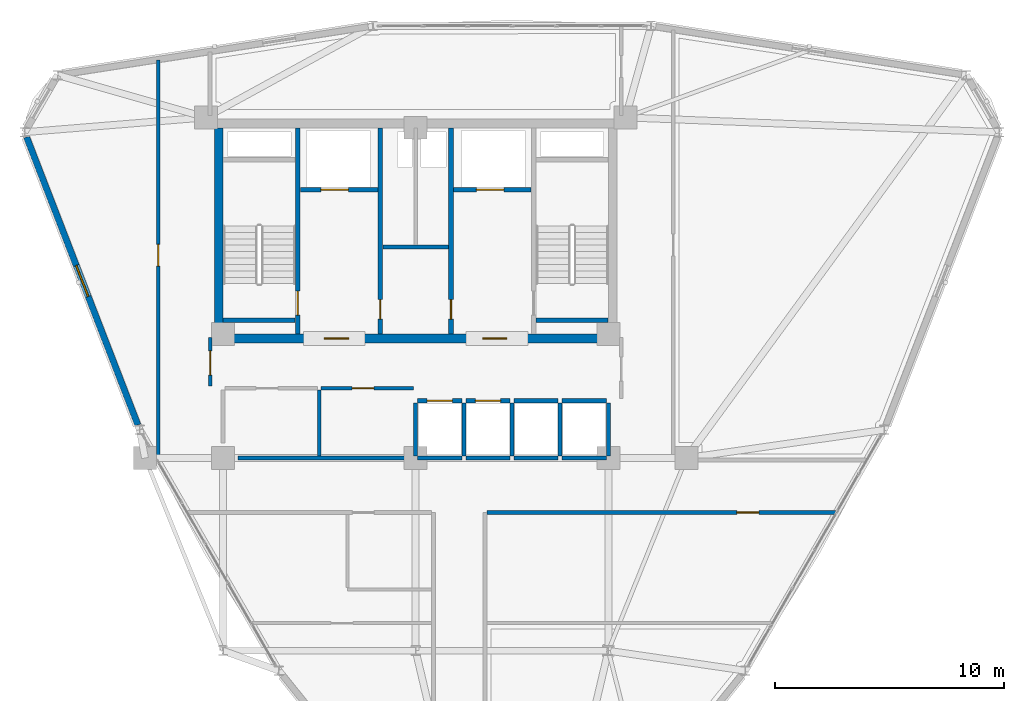
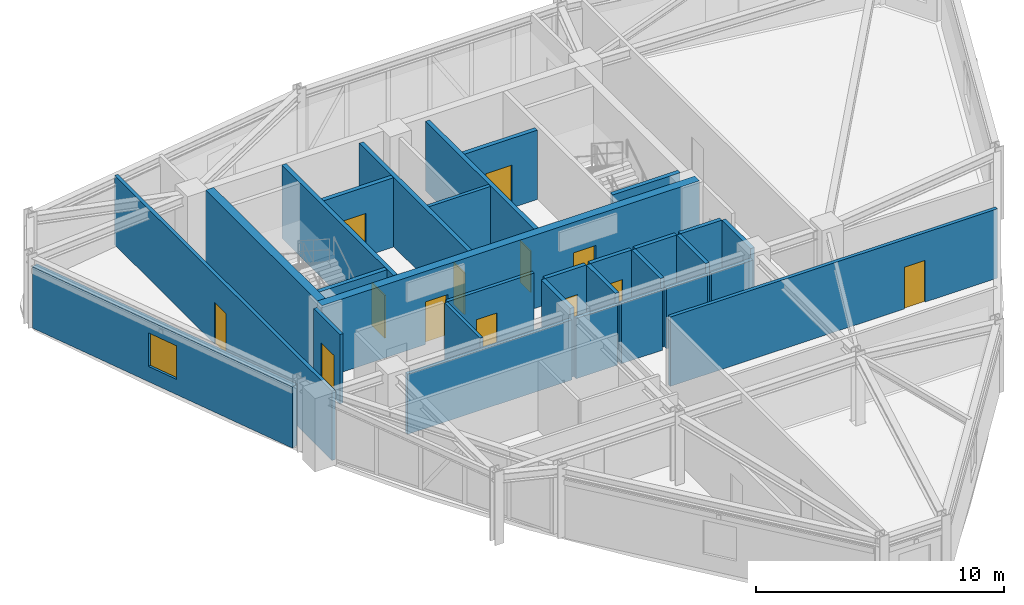
# One storey, part 13 of 16: 30 walls, 13 doors, 1 window, 14 openings.
"""IFC4 building model written with IfcOpenShell, lengths in metres."""

from ifc_helpers import new_model, si_unit, derived_unit, direction, frame, frame_2d, origin, place, context, subcontext, project, spatial, rectangle, extrude, material, layer, layer_set, type_object, element, fill, save


model = new_model("IFC4")

# Units and contexts
model_context = context("Model", 3, precision=1e-05, world=origin(), true_north=direction((0.0, 1.0)))
body_context = subcontext(model_context, "Body", "Model", "MODEL_VIEW")
ifc_project = project(units=[si_unit("LENGTHUNIT", "METRE"), si_unit("AREAUNIT", "SQUARE_METRE"), si_unit("VOLUMEUNIT", "CUBIC_METRE"), si_unit("PLANEANGLEUNIT", "RADIAN"), si_unit("MASSUNIT", "GRAM", prefix="KILO"), derived_unit("THERMALTRANSMITTANCEUNIT", [(si_unit("POWERUNIT", "WATT"), 1), (si_unit("LENGTHUNIT", "METRE"), -2), (si_unit("THERMODYNAMICTEMPERATUREUNIT", "KELVIN"), -1)])], contexts=[model_context])

# Site, building, storey
site_placement = place(None, origin())
site = spatial("IfcSite", under=ifc_project, at=site_placement, CompositionType="ELEMENT")
building_placement = place(site_placement, origin())
building = spatial("IfcBuilding", under=site, at=building_placement, Name="Korsvarv Bourse and Concert Hall", CompositionType="ELEMENT")
storey_placement = place(building_placement, frame((0.0, 0.0, 227.39990234375)))
storey = spatial("IfcBuildingStorey", under=building, at=storey_placement, Name="L59", CompositionType="ELEMENT", Elevation=227.39990234375)

# Wall, openings, doors
ifc_material_1 = material(Name="Concrete C50/60", Category="concrete")
ifc_layer_1 = layer(ifc_material_1, 0.3798828125)
ifc_layer_set_1 = layer_set([ifc_layer_1], Name="Concrete C50/60")
wall_type_1 = type_object("IfcWallType", Name="WL-CORE-380", PredefinedType="SHEAR", material=ifc_layer_set_1)
wall_1_placement = place(storey_placement, frame((27.219970703125, 37.610107421875, 0.0), z_axis=(0.0, 0.0, 1.0), x_axis=(1.0, 0.0, 0.0)))
wall_1 = element("IfcWall", 1, at=wall_1_placement, inside=storey, type_object=wall_type_1, Name="L59 South Core Shear Wall", PredefinedType="SHEAR", context=body_context, shape_type="SweptSolid", body=[
    extrude(rectangle(XDim=17.56005859375, YDim=0.3798828125, at=frame_2d((8.780029296875, 0.0))), origin(), (0.0, 0.0, 1.0), 3.60009765625),
])
opening_1_placement = place(wall_1_placement, frame((4.804931640625, 0.0, 0.0)))
opening_1 = element("IfcOpeningElement", 2, at=opening_1_placement, cuts=wall_1, Name="Opening D-01", PredefinedType="OPENING", context=body_context, shape_type="SweptSolid", body=[
    extrude(rectangle(XDim=1.050048828125, YDim=2.10009765625, at=frame_2d((0.52490234375, 1.050048828125))), frame((0.0, 0.199951171875, 0.0), z_axis=(0.0, -1.0, 0.0), x_axis=(1.0, 0.0, 0.0)), (0.0, 0.0, 1.0), 0.39990234375),
])
opening_2_placement = place(wall_1_placement, frame((11.705078125, 0.0, 0.0)))
opening_2 = element("IfcOpeningElement", 3, at=opening_2_placement, cuts=wall_1, Name="Opening D-01", PredefinedType="OPENING", context=body_context, shape_type="SweptSolid", body=[
    extrude(rectangle(XDim=1.050048828125, YDim=2.10009765625, at=frame_2d((0.52490234375, 1.050048828125))), frame((0.0, 0.199951171875, 0.0), z_axis=(0.0, -1.0, 0.0), x_axis=(1.0, 0.0, 0.0)), (0.0, 0.0, 1.0), 0.39990234375),
])
ifc_material_2 = material(Name="Steel S355 fire door", Category="steel")
door_type_1 = type_object("IfcDoorType", Name="DR-FD60", OperationType="NOTDEFINED", PredefinedType="DOOR", material=ifc_material_2)
door_1_placement = place(opening_1_placement, frame((1.050048828125, 0.0, 0.0), z_axis=(0.0, 0.0, 1.0), x_axis=(-1.0, 0.0, 0.0)))
door_1 = element("IfcDoor", 4, at=door_1_placement, inside=storey, type_object=door_type_1, Name="L59 firefighting lobby fire door DR-L59-FFLW", OperationType="SINGLE_SWING_RIGHT", OverallHeight=2.10009765625, OverallWidth=1.050048828125, PredefinedType="DOOR", context=body_context, shape_type="SweptSolid", body=[
    extrude(rectangle(XDim=1.050048828125, YDim=2.10009765625, at=frame_2d((0.52490234375, 1.050048828125))), frame((0.0, 0.02490234375, 0.0), z_axis=(0.0, -1.0, 0.0), x_axis=(1.0, 0.0, 0.0)), (0.0, 0.0, 1.0), 0.050048828125),
])
fill(opening_1, door_1)
door_2_placement = place(opening_2_placement, frame((1.050048828125, 0.0, 0.0), z_axis=(0.0, 0.0, 1.0), x_axis=(-1.0, 0.0, 0.0)))
door_2 = element("IfcDoor", 5, at=door_2_placement, inside=storey, type_object=door_type_1, Name="L59 firefighting lobby fire door DR-L59-FFLE", OperationType="SINGLE_SWING_LEFT", OverallHeight=2.10009765625, OverallWidth=1.050048828125, PredefinedType="DOOR", context=body_context, shape_type="SweptSolid", body=[
    extrude(rectangle(XDim=1.050048828125, YDim=2.10009765625, at=frame_2d((0.52490234375, 1.050048828125))), frame((0.0, 0.02490234375, 0.0), z_axis=(0.0, -1.0, 0.0), x_axis=(1.0, 0.0, 0.0)), (0.0, 0.0, 1.0), 0.050048828125),
])
fill(opening_2, door_2)

# Wall
wall_2_placement = place(storey_placement, frame((27.409912109375, 37.800048828125, 0.0), z_axis=(0.0, 0.0, 1.0), x_axis=(0.0, 1.0, 0.0)))
element("IfcWall", 6, at=wall_2_placement, inside=storey, type_object=wall_type_1, Name="L59 West Core Shear Wall", PredefinedType="SHEAR", context=body_context, shape_type="SweptSolid", body=[
    extrude(rectangle(XDim=9.0, YDim=0.3798828125, at=frame_2d((4.5, 0.0))), origin(), (0.0, 0.0, 1.0), 3.60009765625),
])

# Wall, opening, door
wall_3_placement = place(storey_placement, frame((30.860107421875, 37.81005859375, 0.0), z_axis=(0.0, 0.0, 1.0), x_axis=(0.0, 1.0, 0.0)))
wall_3 = element("IfcWall", 7, at=wall_3_placement, inside=storey, type_object=wall_type_1, Name="L59 stair shaft structural wall W-L59-ST1-E", PredefinedType="SHEAR", context=body_context, shape_type="SweptSolid", body=[
    extrude(rectangle(XDim=8.97998046875, YDim=0.199951171875, at=frame_2d((4.489990234375, 0.0))), origin(), (0.0, 0.0, 1.0), 3.60009765625),
])
opening_3_placement = place(wall_3_placement, frame((0.820068359375, 0.0, 0.0)))
opening_3 = element("IfcOpeningElement", 8, at=opening_3_placement, cuts=wall_3, Name="Opening D-01", PredefinedType="OPENING", context=body_context, shape_type="SweptSolid", body=[
    extrude(rectangle(XDim=1.050048828125, YDim=2.10009765625, at=frame_2d((0.52490234375, 1.050048828125))), frame((0.0, 0.10986328125, 0.0), z_axis=(0.0, -1.0, 0.0), x_axis=(1.0, 0.0, 0.0)), (0.0, 0.0, 1.0), 0.219970703125),
])
door_3_placement = place(opening_3_placement, origin())
door_3 = element("IfcDoor", 9, at=door_3_placement, inside=storey, type_object=door_type_1, Name="L59 interior door DR-L59-ST1", OperationType="SINGLE_SWING_RIGHT", OverallHeight=2.10009765625, OverallWidth=1.050048828125, PredefinedType="DOOR", context=body_context, shape_type="SweptSolid", body=[
    extrude(rectangle(XDim=1.050048828125, YDim=2.10009765625, at=frame_2d((0.52490234375, 1.050048828125))), frame((0.0, 0.02490234375, 0.0), z_axis=(0.0, -1.0, 0.0), x_axis=(1.0, 0.0, 0.0)), (0.0, 0.0, 1.0), 0.050048828125),
])
fill(opening_3, door_3)

# Walls
for number, where, z_axis, x_axis, name in (
    (10, (27.610107421875, 38.39990234375, 0.0), (0.0, 0.0, 1.0), (1.0, 0.0, 0.0), "L59 stair shaft structural wall W-L59-ST1-S"),
    (11, (41.25, 38.39990234375, 0.0), (0.0, 0.0, 1.0), (1.0, 0.0, 0.0), "L59 stair shaft structural wall W-L59-ST2-S"),
):
    element("IfcWall", number, at=place(storey_placement, frame(where, z_axis=z_axis, x_axis=x_axis)), inside=storey, type_object=wall_type_1, Name=name, PredefinedType="SHEAR", context=body_context, shape_type="SweptSolid", body=[
        extrude(rectangle(XDim=3.139892578125, YDim=0.199951171875, at=frame_2d((1.56982421875, 0.0))), origin(), (0.0, 0.0, 1.0), 3.60009765625),
    ])

# Wall, opening, window
ifc_material_3 = material(Name="Precast concrete C45/55 with fluted terracotta pier", Category="concrete")
ifc_layer_2 = layer(ifc_material_3, 0.280029296875)
ifc_layer_set_2 = layer_set([ifc_layer_2], Name="Precast concrete C45/55 with fluted terracotta pier")
wall_type_2 = type_object("IfcWallType", Name="WL-EXT-TC2", PredefinedType="SOLIDWALL", material=ifc_layer_set_2)
wall_4_placement = place(storey_placement, frame((19.034912109375, 46.393310546875, 0.0), z_axis=(0.0, 0.0, 1.0), x_axis=(0.360620992305, -0.93271244224, 0.0)))
wall_4 = element("IfcWall", 12, at=wall_4_placement, inside=storey, type_object=wall_type_2, Name="L59 terracotta exterior wall EW-L59-B06", PredefinedType="SOLIDWALL", context=body_context, shape_type="SweptSolid", body=[
    extrude(rectangle(XDim=13.456787109375, YDim=0.280029296875, at=frame_2d((6.728515625, 0.0))), origin(), (0.0, 0.0, 1.0), 3.02001953125),
])
opening_4_placement = place(wall_4_placement, frame((6.00341796875, 0.0, 0.75)))
opening_4 = element("IfcOpeningElement", 13, at=opening_4_placement, cuts=wall_4, Name="Opening W-02", PredefinedType="OPENING", context=body_context, shape_type="SweptSolid", body=[
    extrude(rectangle(XDim=1.449951171875, YDim=1.64990234375, at=frame_2d((0.72509765625, 0.824951171875))), frame((0.0, 0.14990234375, 0.0), z_axis=(0.0, -1.0, 0.0), x_axis=(1.0, 0.0, 0.0)), (0.0, 0.0, 1.0), 0.300048828125),
])
ifc_material_4 = material(Name="Thermally broken aluminium frame with triple low-E glass", Category="glass")
window_type = type_object("IfcWindowType", Name="WIN-TW2", PartitioningType="SINGLE_PANEL", PredefinedType="WINDOW", material=ifc_material_4)
window_placement = place(opening_4_placement, origin())
window = element("IfcWindow", 14, at=window_placement, inside=storey, type_object=window_type, Name="L59 punched facade window W-02", OverallHeight=1.64990234375, OverallWidth=1.449951171875, PartitioningType="SINGLE_PANEL", PredefinedType="WINDOW", context=body_context, shape_type="SweptSolid", body=[
    extrude(rectangle(XDim=1.449951171875, YDim=1.64990234375, at=frame_2d((0.72509765625, 0.824951171875))), frame((0.0, 0.030029296875, 0.0), z_axis=(0.0, -1.0, 0.0), x_axis=(1.0, 0.0, 0.0)), (0.0, 0.0, 1.0), 0.06005859375),
])
fill(opening_4, window)

# Wall, opening, door
ifc_material_5 = material(Name="Reinforced concrete blockwork C35/45 fire wall", Category="concrete")
ifc_layer_3 = layer(ifc_material_5, 0.199951171875)
ifc_layer_set_3 = layer_set([ifc_layer_3], Name="Reinforced concrete blockwork C35/45 fire wall")
wall_type_3 = type_object("IfcWallType", Name="WL-INT-EI120", PredefinedType="PARTITIONING", material=ifc_layer_set_3)
wall_5_placement = place(storey_placement, frame((30.969970703125, 44.10009765625, 0.0), z_axis=(0.0, 0.0, 1.0), x_axis=(1.0, 0.0, 0.0)))
wall_5 = element("IfcWall", 15, at=wall_5_placement, inside=storey, type_object=wall_type_3, Name="L59 interior partition wall W-L59-FF1-S", PredefinedType="PARTITIONING", context=body_context, shape_type="SweptSolid", body=[
    extrude(rectangle(XDim=3.380126953125, YDim=0.199951171875, at=frame_2d((1.68994140625, 0.0))), origin(), (0.0, 0.0, 1.0), 3.41015625),
])
opening_5_placement = place(wall_5_placement, frame((0.89990234375, 0.0, 0.0)))
opening_5 = element("IfcOpeningElement", 16, at=opening_5_placement, cuts=wall_5, Name="Opening LD-1", PredefinedType="OPENING", context=body_context, shape_type="SweptSolid", body=[
    extrude(rectangle(XDim=1.199951171875, YDim=2.10009765625, at=frame_2d((0.60009765625, 1.050048828125))), frame((0.0, 0.10986328125, 0.0), z_axis=(0.0, -1.0, 0.0), x_axis=(1.0, 0.0, 0.0)), (0.0, 0.0, 1.0), 0.219970703125),
])
ifc_material_6 = material(Name="Stainless Steel S355 firefighting lift landing door", Category="steel")
door_type_2 = type_object("IfcDoorType", Name="DR-LIFT-FF", OperationType="DOUBLE_DOOR_SLIDING", PredefinedType="DOOR", material=ifc_material_6)
door_4_placement = place(opening_5_placement, origin())
door_4 = element("IfcDoor", 17, at=door_4_placement, inside=storey, type_object=door_type_2, Name="L59 lift sliding landing door LD-L59-FF1", OperationType="DOUBLE_DOOR_SLIDING", OverallHeight=2.10009765625, OverallWidth=1.199951171875, PredefinedType="DOOR", context=body_context, shape_type="SweptSolid", body=[
    extrude(rectangle(XDim=1.199951171875, YDim=2.10009765625, at=frame_2d((0.60009765625, 1.050048828125))), frame((0.0, 0.02490234375, 0.0), z_axis=(0.0, -1.0, 0.0), x_axis=(1.0, 0.0, 0.0)), (0.0, 0.0, 1.0), 0.050048828125),
])
fill(opening_5, door_4)

wall_6_placement = place(storey_placement, frame((37.64990234375, 44.10009765625, 0.0), z_axis=(0.0, 0.0, 1.0), x_axis=(1.0, 0.0, 0.0)))
wall_6 = element("IfcWall", 18, at=wall_6_placement, inside=storey, type_object=wall_type_3, Name="L59 interior partition wall W-L59-FF2-S", PredefinedType="PARTITIONING", context=body_context, shape_type="SweptSolid", body=[
    extrude(rectangle(XDim=3.380126953125, YDim=0.199951171875, at=frame_2d((1.68994140625, 0.0))), origin(), (0.0, 0.0, 1.0), 3.41015625),
])
opening_6_placement = place(wall_6_placement, frame((1.0, 0.0, 0.0)))
opening_6 = element("IfcOpeningElement", 19, at=opening_6_placement, cuts=wall_6, Name="Opening LD-1", PredefinedType="OPENING", context=body_context, shape_type="SweptSolid", body=[
    extrude(rectangle(XDim=1.199951171875, YDim=2.10009765625, at=frame_2d((0.60009765625, 1.050048828125))), frame((0.0, 0.10986328125, 0.0), z_axis=(0.0, -1.0, 0.0), x_axis=(1.0, 0.0, 0.0)), (0.0, 0.0, 1.0), 0.219970703125),
])
door_5_placement = place(opening_6_placement, origin())
door_5 = element("IfcDoor", 20, at=door_5_placement, inside=storey, type_object=door_type_2, Name="L59 lift sliding landing door LD-L59-FF2", OperationType="DOUBLE_DOOR_SLIDING", OverallHeight=2.10009765625, OverallWidth=1.199951171875, PredefinedType="DOOR", context=body_context, shape_type="SweptSolid", body=[
    extrude(rectangle(XDim=1.199951171875, YDim=2.10009765625, at=frame_2d((0.60009765625, 1.050048828125))), frame((0.0, 0.02490234375, 0.0), z_axis=(0.0, -1.0, 0.0), x_axis=(1.0, 0.0, 0.0)), (0.0, 0.0, 1.0), 0.050048828125),
])
fill(opening_6, door_5)

wall_7_placement = place(storey_placement, frame((34.4599609375, 37.81005859375, 0.0), z_axis=(0.0, 0.0, 1.0), x_axis=(0.0, 1.0, 0.0)))
wall_7 = element("IfcWall", 21, at=wall_7_placement, inside=storey, type_object=wall_type_3, Name="L59 interior partition wall W-L59-CSB-W", PredefinedType="PARTITIONING", context=body_context, shape_type="SweptSolid", body=[
    extrude(rectangle(XDim=8.97998046875, YDim=0.199951171875, at=frame_2d((4.489990234375, 0.0))), origin(), (0.0, 0.0, 1.0), 3.41015625),
])
opening_7_placement = place(wall_7_placement, frame((0.64990234375, 0.0, 0.0)))
opening_7 = element("IfcOpeningElement", 22, at=opening_7_placement, cuts=wall_7, Name="Opening D-05", PredefinedType="OPENING", context=body_context, shape_type="SweptSolid", body=[
    extrude(rectangle(XDim=0.85009765625, YDim=2.050048828125, at=frame_2d((0.425048828125, 1.02490234375))), frame((0.0, 0.10986328125, 0.0), z_axis=(0.0, -1.0, 0.0), x_axis=(1.0, 0.0, 0.0)), (0.0, 0.0, 1.0), 0.219970703125),
])
door_type_3 = type_object("IfcDoorType", Name="DR-FD60-850X2050", OperationType="NOTDEFINED", PredefinedType="DOOR", material=ifc_material_2)
door_6_placement = place(opening_7_placement, frame((0.85009765625, 0.0, 0.0), z_axis=(0.0, 0.0, 1.0), x_axis=(-1.0, 0.0, 0.0)))
door_6 = element("IfcDoor", 23, at=door_6_placement, inside=storey, type_object=door_type_3, Name="L59 interior door DR-L59-CSB1", OperationType="SINGLE_SWING_RIGHT", OverallHeight=2.050048828125, OverallWidth=0.85009765625, PredefinedType="DOOR", context=body_context, shape_type="SweptSolid", body=[
    extrude(rectangle(XDim=0.85009765625, YDim=2.050048828125, at=frame_2d((0.425048828125, 1.02490234375))), frame((0.0, 0.02490234375, 0.0), z_axis=(0.0, -1.0, 0.0), x_axis=(1.0, 0.0, 0.0)), (0.0, 0.0, 1.0), 0.050048828125),
])
fill(opening_7, door_6)

wall_8_placement = place(storey_placement, frame((37.5400390625, 37.81005859375, 0.0), z_axis=(0.0, 0.0, 1.0), x_axis=(0.0, 1.0, 0.0)))
wall_8 = element("IfcWall", 24, at=wall_8_placement, inside=storey, type_object=wall_type_3, Name="L59 interior partition wall W-L59-CSB-E", PredefinedType="PARTITIONING", context=body_context, shape_type="SweptSolid", body=[
    extrude(rectangle(XDim=8.97998046875, YDim=0.199951171875, at=frame_2d((4.489990234375, 0.0))), origin(), (0.0, 0.0, 1.0), 3.41015625),
])
opening_8_placement = place(wall_8_placement, frame((0.64990234375, 0.0, 0.0)))
opening_8 = element("IfcOpeningElement", 25, at=opening_8_placement, cuts=wall_8, Name="Opening D-05", PredefinedType="OPENING", context=body_context, shape_type="SweptSolid", body=[
    extrude(rectangle(XDim=0.85009765625, YDim=2.050048828125, at=frame_2d((0.425048828125, 1.02490234375))), frame((0.0, 0.10986328125, 0.0), z_axis=(0.0, -1.0, 0.0), x_axis=(1.0, 0.0, 0.0)), (0.0, 0.0, 1.0), 0.219970703125),
])
door_7_placement = place(opening_8_placement, origin())
door_7 = element("IfcDoor", 26, at=door_7_placement, inside=storey, type_object=door_type_3, Name="L59 interior door DR-L59-CSB2", OperationType="SINGLE_SWING_LEFT", OverallHeight=2.050048828125, OverallWidth=0.85009765625, PredefinedType="DOOR", context=body_context, shape_type="SweptSolid", body=[
    extrude(rectangle(XDim=0.85009765625, YDim=2.050048828125, at=frame_2d((0.425048828125, 1.02490234375))), frame((0.0, 0.02490234375, 0.0), z_axis=(0.0, -1.0, 0.0), x_axis=(1.0, 0.0, 0.0)), (0.0, 0.0, 1.0), 0.050048828125),
])
fill(opening_8, door_7)

# Walls
ifc_material_7 = material(Name="Double-stud fire-rated acoustic partition", Category="gypsum")
ifc_layer_4 = layer(ifc_material_7, 0.159912109375)
ifc_layer_set_4 = layer_set([ifc_layer_4], Name="Double-stud fire-rated acoustic partition")
wall_type_4 = type_object("IfcWallType", Name="WL-INT-EI60", PredefinedType="PARTITIONING", material=ifc_layer_set_4)
wall_9_placement = place(storey_placement, frame((34.570068359375, 41.60009765625, 0.0), z_axis=(0.0, 0.0, 1.0), x_axis=(1.0, 0.0, 0.0)))
element("IfcWall", 27, at=wall_9_placement, inside=storey, type_object=wall_type_4, Name="L59 interior partition wall W-L59-K1", PredefinedType="PARTITIONING", context=body_context, shape_type="SweptSolid", body=[
    extrude(rectangle(XDim=2.85986328125, YDim=0.159912109375, at=frame_2d((1.429931640625, 0.0))), origin(), (0.0, 0.0, 1.0), 3.41015625),
])
wall_10_placement = place(storey_placement, frame((28.25, 32.39990234375, 0.0), z_axis=(0.0, 0.0, 1.0), x_axis=(1.0, 0.0, 0.0)))
element("IfcWall", 28, at=wall_10_placement, inside=storey, type_object=wall_type_4, Name="L59 interior partition wall W-L59-FRD-S", PredefinedType="PARTITIONING", context=body_context, shape_type="SweptSolid", body=[
    extrude(rectangle(XDim=7.64990234375, YDim=0.159912109375, at=frame_2d((3.824951171875, 0.0))), origin(), (0.0, 0.0, 1.0), 2.960205078125),
])

# Wall, opening, door
wall_11_placement = place(storey_placement, frame((31.8798828125, 35.449951171875, 0.0), z_axis=(0.0, 0.0, 1.0), x_axis=(1.0, 0.0, 0.0)))
wall_11 = element("IfcWall", 29, at=wall_11_placement, inside=storey, type_object=wall_type_4, Name="L59 interior partition wall W-L59-FRD-N2", PredefinedType="PARTITIONING", context=body_context, shape_type="SweptSolid", body=[
    extrude(rectangle(XDim=4.02001953125, YDim=0.159912109375, at=frame_2d((2.010009765625, 0.0))), origin(), (0.0, 0.0, 1.0), 3.41015625),
])
opening_9_placement = place(wall_11_placement, frame((1.35009765625, 0.0, 0.0)))
opening_9 = element("IfcOpeningElement", 30, at=opening_9_placement, cuts=wall_11, Name="Opening D-03", PredefinedType="OPENING", context=body_context, shape_type="SweptSolid", body=[
    extrude(rectangle(XDim=0.949951171875, YDim=2.050048828125, at=frame_2d((0.47509765625, 1.02490234375))), frame((0.0, 0.08984375, 0.0), z_axis=(0.0, -1.0, 0.0), x_axis=(1.0, 0.0, 0.0)), (0.0, 0.0, 1.0), 0.179931640625),
])
ifc_material_8 = material(Name="Nordic oak acoustic office door", Category="wood")
door_type_4 = type_object("IfcDoorType", Name="DR-INT-1", OperationType="NOTDEFINED", PredefinedType="DOOR", material=ifc_material_8)
door_8_placement = place(opening_9_placement, origin())
door_8 = element("IfcDoor", 31, at=door_8_placement, inside=storey, type_object=door_type_4, Name="L59 interior door DR-L59-FRDN2", OperationType="SINGLE_SWING_LEFT", OverallHeight=2.050048828125, OverallWidth=0.949951171875, PredefinedType="DOOR", context=body_context, shape_type="SweptSolid", body=[
    extrude(rectangle(XDim=0.949951171875, YDim=2.050048828125, at=frame_2d((0.47509765625, 1.02490234375))), frame((0.0, 0.02490234375, 0.0), z_axis=(0.0, -1.0, 0.0), x_axis=(1.0, 0.0, 0.0)), (0.0, 0.0, 1.0), 0.050048828125),
])
fill(opening_9, door_8)

wall_12_placement = place(storey_placement, frame((27.0400390625, 35.5400390625, 0.0), z_axis=(0.0, 0.0, 1.0), x_axis=(0.0, 1.0, 0.0)))
wall_12 = element("IfcWall", 32, at=wall_12_placement, inside=storey, type_object=wall_type_4, Name="L59 interior partition wall W-L59-LOB-WL", PredefinedType="PARTITIONING", context=body_context, shape_type="SweptSolid", body=[
    extrude(rectangle(XDim=2.10986328125, YDim=0.159912109375, at=frame_2d((1.054931640625, 0.0))), origin(), (0.0, 0.0, 1.0), 3.41015625),
])
opening_10_placement = place(wall_12_placement, frame((0.47998046875, 0.0, 0.0)))
opening_10 = element("IfcOpeningElement", 33, at=opening_10_placement, cuts=wall_12, Name="Opening D-01", PredefinedType="OPENING", context=body_context, shape_type="SweptSolid", body=[
    extrude(rectangle(XDim=1.050048828125, YDim=2.10009765625, at=frame_2d((0.52490234375, 1.050048828125))), frame((0.0, 0.08984375, 0.0), z_axis=(0.0, -1.0, 0.0), x_axis=(1.0, 0.0, 0.0)), (0.0, 0.0, 1.0), 0.179931640625),
])
door_9_placement = place(opening_10_placement, frame((1.050048828125, 0.0, 0.0), z_axis=(0.0, 0.0, 1.0), x_axis=(-1.0, 0.0, 0.0)))
door_9 = element("IfcDoor", 34, at=door_9_placement, inside=storey, type_object=door_type_1, Name="L59 interior door DR-L59-LOBW", OperationType="SINGLE_SWING_RIGHT", OverallHeight=2.10009765625, OverallWidth=1.050048828125, PredefinedType="DOOR", context=body_context, shape_type="SweptSolid", body=[
    extrude(rectangle(XDim=1.050048828125, YDim=2.10009765625, at=frame_2d((0.52490234375, 1.050048828125))), frame((0.0, 0.02490234375, 0.0), z_axis=(0.0, -1.0, 0.0), x_axis=(1.0, 0.0, 0.0)), (0.0, 0.0, 1.0), 0.050048828125),
])
fill(opening_10, door_9)

wall_13_placement = place(storey_placement, frame((24.77490234375, 32.254638671875, 0.0), z_axis=(0.0, 0.0, 1.0), x_axis=(0.0, 1.0, 0.0)))
wall_13 = element("IfcWall", 35, at=wall_13_placement, inside=storey, type_object=wall_type_4, Name="L59 interior partition wall W-L59-TCOR-03", PredefinedType="PARTITIONING", context=body_context, shape_type="SweptSolid", body=[
    extrude(rectangle(XDim=17.506591796875, YDim=0.159912109375, at=frame_2d((8.75341796875, 0.0))), origin(), (0.0, 0.0, 1.0), 3.41015625),
])
opening_11_placement = place(wall_13_placement, frame((8.510498046875, 0.0, 0.0)))
opening_11 = element("IfcOpeningElement", 36, at=opening_11_placement, cuts=wall_13, Name="Opening D-02", PredefinedType="OPENING", context=body_context, shape_type="SweptSolid", body=[
    extrude(rectangle(XDim=0.949951171875, YDim=2.050048828125, at=frame_2d((0.47509765625, 1.02490234375))), frame((0.0, 0.08984375, 0.0), z_axis=(0.0, -1.0, 0.0), x_axis=(1.0, 0.0, 0.0)), (0.0, 0.0, 1.0), 0.179931640625),
])
ifc_material_9 = material(Name="Timber and steel acoustic fire door", Category="wood")
door_type_5 = type_object("IfcDoorType", Name="DR-FD30", OperationType="NOTDEFINED", PredefinedType="DOOR", material=ifc_material_9)
door_10_placement = place(opening_11_placement, origin())
door_10 = element("IfcDoor", 37, at=door_10_placement, inside=storey, type_object=door_type_5, Name="L59 interior door DR-L59-TCOR-NWJ7", OperationType="SINGLE_SWING_RIGHT", OverallHeight=2.050048828125, OverallWidth=0.949951171875, PredefinedType="DOOR", context=body_context, shape_type="SweptSolid", body=[
    extrude(rectangle(XDim=0.949951171875, YDim=2.050048828125, at=frame_2d((0.47509765625, 1.02490234375))), frame((0.0, 0.02490234375, 0.0), z_axis=(0.0, -1.0, 0.0), x_axis=(1.0, 0.0, 0.0)), (0.0, 0.0, 1.0), 0.050048828125),
])
fill(opening_11, door_10)

wall_14_placement = place(storey_placement, frame((39.10693359375, 30.02490234375, 0.0), z_axis=(0.0, 0.0, 1.0), x_axis=(1.0, 0.0, 0.0)))
wall_14 = element("IfcWall", 38, at=wall_14_placement, inside=storey, type_object=wall_type_4, Name="L59 interior partition wall W-L59-TCOR-04", PredefinedType="PARTITIONING", context=body_context, shape_type="SweptSolid", body=[
    extrude(rectangle(XDim=15.222412109375, YDim=0.159912109375, at=frame_2d((7.611328125, 0.0))), origin(), (0.0, 0.0, 1.0), 3.41015625),
])
opening_12_placement = place(wall_14_placement, frame((10.90087890625, 0.0, 0.0)))
opening_12 = element("IfcOpeningElement", 39, at=opening_12_placement, cuts=wall_14, Name="Opening D-02", PredefinedType="OPENING", context=body_context, shape_type="SweptSolid", body=[
    extrude(rectangle(XDim=0.949951171875, YDim=2.050048828125, at=frame_2d((0.47509765625, 1.02490234375))), frame((0.0, 0.08984375, 0.0), z_axis=(0.0, -1.0, 0.0), x_axis=(1.0, 0.0, 0.0)), (0.0, 0.0, 1.0), 0.179931640625),
])
door_11_placement = place(opening_12_placement, origin())
door_11 = element("IfcDoor", 40, at=door_11_placement, inside=storey, type_object=door_type_5, Name="L59 interior door DR-L59-TCOR-MED3", OperationType="SINGLE_SWING_LEFT", OverallHeight=2.050048828125, OverallWidth=0.949951171875, PredefinedType="DOOR", context=body_context, shape_type="SweptSolid", body=[
    extrude(rectangle(XDim=0.949951171875, YDim=2.050048828125, at=frame_2d((0.47509765625, 1.02490234375))), frame((0.0, 0.02490234375, 0.0), z_axis=(0.0, -1.0, 0.0), x_axis=(1.0, 0.0, 0.0)), (0.0, 0.0, 1.0), 0.050048828125),
])
fill(opening_12, door_11)

ifc_material_10 = material(Name="Gypsum-clad autoclaved concrete shaft wall C30/37", Category="concrete")
ifc_layer_5 = layer(ifc_material_10, 0.179931640625)
ifc_layer_set_5 = layer_set([ifc_layer_5], Name="Gypsum-clad autoclaved concrete shaft wall C30/37")
wall_type_5 = type_object("IfcWallType", Name="WL-INT-EI90", PredefinedType="PARTITIONING", material=ifc_layer_set_5)
wall_15_placement = place(storey_placement, frame((36.090087890625, 34.89990234375, 0.0), z_axis=(0.0, 0.0, 1.0), x_axis=(1.0, 0.0, 0.0)))
wall_15 = element("IfcWall", 41, at=wall_15_placement, inside=storey, type_object=wall_type_5, Name="L59 interior partition wall W-L59-SHFN-PH1", PredefinedType="PARTITIONING", context=body_context, shape_type="SweptSolid", body=[
    extrude(rectangle(XDim=1.919921875, YDim=0.179931640625, at=frame_2d((0.9599609375, 0.0))), origin(), (0.0, 0.0, 1.0), 3.41015625),
])
opening_13_placement = place(wall_15_placement, frame((0.409912109375, 0.0, 0.0)))
opening_13 = element("IfcOpeningElement", 42, at=opening_13_placement, cuts=wall_15, Name="Opening LD-2", PredefinedType="OPENING", context=body_context, shape_type="SweptSolid", body=[
    extrude(rectangle(XDim=1.10009765625, YDim=2.10009765625, at=frame_2d((0.550048828125, 1.050048828125))), frame((0.0, 0.10009765625, 0.0), z_axis=(0.0, -1.0, 0.0), x_axis=(1.0, 0.0, 0.0)), (0.0, 0.0, 1.0), 0.199951171875),
])
ifc_material_11 = material(Name="Brushed stainless Steel S355 lift landing door", Category="steel")
door_type_6 = type_object("IfcDoorType", Name="DR-LIFT-P", OperationType="DOUBLE_DOOR_SLIDING", PredefinedType="DOOR", material=ifc_material_11)
door_12_placement = place(opening_13_placement, origin())
door_12 = element("IfcDoor", 43, at=door_12_placement, inside=storey, type_object=door_type_6, Name="L59 lift sliding landing door LD-L59-PH1", OperationType="DOUBLE_DOOR_SLIDING", OverallHeight=2.10009765625, OverallWidth=1.10009765625, PredefinedType="DOOR", context=body_context, shape_type="SweptSolid", body=[
    extrude(rectangle(XDim=1.10009765625, YDim=2.10009765625, at=frame_2d((0.550048828125, 1.050048828125))), frame((0.0, 0.02490234375, 0.0), z_axis=(0.0, -1.0, 0.0), x_axis=(1.0, 0.0, 0.0)), (0.0, 0.0, 1.0), 0.050048828125),
])
fill(opening_13, door_12)

# Walls
wall_16_placement = place(storey_placement, frame((36.090087890625, 32.39990234375, 0.0), z_axis=(0.0, 0.0, 1.0), x_axis=(1.0, 0.0, 0.0)))
element("IfcWall", 44, at=wall_16_placement, inside=storey, type_object=wall_type_5, Name="L59 interior partition wall W-L59-SHFS-PH1", PredefinedType="PARTITIONING", context=body_context, shape_type="SweptSolid", body=[
    extrude(rectangle(XDim=1.919921875, YDim=0.179931640625, at=frame_2d((0.9599609375, 0.0))), origin(), (0.0, 0.0, 1.0), 2.960205078125),
])
wall_17_placement = place(storey_placement, frame((36.0, 32.489990234375, 0.0), z_axis=(0.0, 0.0, 1.0), x_axis=(0.0, 1.0, 0.0)))
element("IfcWall", 45, at=wall_17_placement, inside=storey, type_object=wall_type_5, Name="L59 interior partition wall W-L59-SHFW-PH1", PredefinedType="PARTITIONING", context=body_context, shape_type="SweptSolid", body=[
    extrude(rectangle(XDim=2.320068359375, YDim=0.179931640625, at=frame_2d((1.16015625, 0.0))), origin(), (0.0, 0.0, 1.0), 3.41015625),
])

# Wall, opening, door
wall_18_placement = place(storey_placement, frame((38.18994140625, 34.89990234375, 0.0), z_axis=(0.0, 0.0, 1.0), x_axis=(1.0, 0.0, 0.0)))
wall_18 = element("IfcWall", 46, at=wall_18_placement, inside=storey, type_object=wall_type_5, Name="L59 interior partition wall W-L59-SHFN-PH2", PredefinedType="PARTITIONING", context=body_context, shape_type="SweptSolid", body=[
    extrude(rectangle(XDim=1.920166015625, YDim=0.179931640625, at=frame_2d((0.9599609375, 0.0))), origin(), (0.0, 0.0, 1.0), 3.41015625),
])
opening_14_placement = place(wall_18_placement, frame((0.409912109375, 0.0, 0.0)))
opening_14 = element("IfcOpeningElement", 47, at=opening_14_placement, cuts=wall_18, Name="Opening LD-2", PredefinedType="OPENING", context=body_context, shape_type="SweptSolid", body=[
    extrude(rectangle(XDim=1.10009765625, YDim=2.10009765625, at=frame_2d((0.550048828125, 1.050048828125))), frame((0.0, 0.10009765625, 0.0), z_axis=(0.0, -1.0, 0.0), x_axis=(1.0, 0.0, 0.0)), (0.0, 0.0, 1.0), 0.199951171875),
])
door_13_placement = place(opening_14_placement, origin())
door_13 = element("IfcDoor", 48, at=door_13_placement, inside=storey, type_object=door_type_6, Name="L59 lift sliding landing door LD-L59-PH2", OperationType="DOUBLE_DOOR_SLIDING", OverallHeight=2.10009765625, OverallWidth=1.10009765625, PredefinedType="DOOR", context=body_context, shape_type="SweptSolid", body=[
    extrude(rectangle(XDim=1.10009765625, YDim=2.10009765625, at=frame_2d((0.550048828125, 1.050048828125))), frame((0.0, 0.02490234375, 0.0), z_axis=(0.0, -1.0, 0.0), x_axis=(1.0, 0.0, 0.0)), (0.0, 0.0, 1.0), 0.050048828125),
])
fill(opening_14, door_13)

# Walls
wall_19_placement = place(storey_placement, frame((38.18994140625, 32.39990234375, 0.0), z_axis=(0.0, 0.0, 1.0), x_axis=(1.0, 0.0, 0.0)))
element("IfcWall", 49, at=wall_19_placement, inside=storey, type_object=wall_type_5, Name="L59 interior partition wall W-L59-SHFS-PH2", PredefinedType="PARTITIONING", context=body_context, shape_type="SweptSolid", body=[
    extrude(rectangle(XDim=1.920166015625, YDim=0.179931640625, at=frame_2d((0.9599609375, 0.0))), origin(), (0.0, 0.0, 1.0), 2.960205078125),
])
wall_20_placement = place(storey_placement, frame((38.10009765625, 32.489990234375, 0.0), z_axis=(0.0, 0.0, 1.0), x_axis=(0.0, 1.0, 0.0)))
element("IfcWall", 50, at=wall_20_placement, inside=storey, type_object=wall_type_5, Name="L59 interior partition wall W-L59-SHFW-PH2", PredefinedType="PARTITIONING", context=body_context, shape_type="SweptSolid", body=[
    extrude(rectangle(XDim=2.320068359375, YDim=0.179931640625, at=frame_2d((1.16015625, 0.0))), origin(), (0.0, 0.0, 1.0), 3.41015625),
])
wall_21_placement = place(storey_placement, frame((40.2900390625, 34.89990234375, 0.0), z_axis=(0.0, 0.0, 1.0), x_axis=(1.0, 0.0, 0.0)))
element("IfcWall", 51, at=wall_21_placement, inside=storey, type_object=wall_type_5, Name="L59 interior partition wall W-L59-SHFN-PO1", PredefinedType="PARTITIONING", context=body_context, shape_type="SweptSolid", body=[
    extrude(rectangle(XDim=1.919921875, YDim=0.179931640625, at=frame_2d((0.9599609375, 0.0))), origin(), (0.0, 0.0, 1.0), 3.41015625),
])
wall_22_placement = place(storey_placement, frame((40.2900390625, 32.39990234375, 0.0), z_axis=(0.0, 0.0, 1.0), x_axis=(1.0, 0.0, 0.0)))
element("IfcWall", 52, at=wall_22_placement, inside=storey, type_object=wall_type_5, Name="L59 interior partition wall W-L59-SHFS-PO1", PredefinedType="PARTITIONING", context=body_context, shape_type="SweptSolid", body=[
    extrude(rectangle(XDim=1.919921875, YDim=0.179931640625, at=frame_2d((0.9599609375, 0.0))), origin(), (0.0, 0.0, 1.0), 2.960205078125),
])
wall_23_placement = place(storey_placement, frame((40.199951171875, 32.489990234375, 0.0), z_axis=(0.0, 0.0, 1.0), x_axis=(0.0, 1.0, 0.0)))
element("IfcWall", 53, at=wall_23_placement, inside=storey, type_object=wall_type_5, Name="L59 interior partition wall W-L59-SHFW-PO1", PredefinedType="PARTITIONING", context=body_context, shape_type="SweptSolid", body=[
    extrude(rectangle(XDim=2.320068359375, YDim=0.179931640625, at=frame_2d((1.16015625, 0.0))), origin(), (0.0, 0.0, 1.0), 3.41015625),
])
wall_24_placement = place(storey_placement, frame((42.389892578125, 34.89990234375, 0.0), z_axis=(0.0, 0.0, 1.0), x_axis=(1.0, 0.0, 0.0)))
element("IfcWall", 54, at=wall_24_placement, inside=storey, type_object=wall_type_5, Name="L59 interior partition wall W-L59-SHFN-PO2", PredefinedType="PARTITIONING", context=body_context, shape_type="SweptSolid", body=[
    extrude(rectangle(XDim=1.920166015625, YDim=0.179931640625, at=frame_2d((0.9599609375, 0.0))), origin(), (0.0, 0.0, 1.0), 3.41015625),
])
wall_25_placement = place(storey_placement, frame((42.389892578125, 32.39990234375, 0.0), z_axis=(0.0, 0.0, 1.0), x_axis=(1.0, 0.0, 0.0)))
element("IfcWall", 55, at=wall_25_placement, inside=storey, type_object=wall_type_5, Name="L59 interior partition wall W-L59-SHFS-PO2", PredefinedType="PARTITIONING", context=body_context, shape_type="SweptSolid", body=[
    extrude(rectangle(XDim=1.920166015625, YDim=0.179931640625, at=frame_2d((0.9599609375, 0.0))), origin(), (0.0, 0.0, 1.0), 2.960205078125),
])
for number, where, z_axis, x_axis, name in (
    (56, (42.300048828125, 32.489990234375, 0.0), (0.0, 0.0, 1.0), (0.0, 1.0, 0.0), "L59 interior partition wall W-L59-SHFW-PO2"),
    (57, (44.39990234375, 32.489990234375, 0.0), (0.0, 0.0, 1.0), (0.0, 1.0, 0.0), "L59 interior partition wall W-L59-SHFE-END"),
):
    element("IfcWall", number, at=place(storey_placement, frame(where, z_axis=z_axis, x_axis=x_axis)), inside=storey, type_object=wall_type_5, Name=name, PredefinedType="PARTITIONING", context=body_context, shape_type="SweptSolid", body=[
        extrude(rectangle(XDim=2.320068359375, YDim=0.179931640625, at=frame_2d((1.16015625, 0.0))), origin(), (0.0, 0.0, 1.0), 3.41015625),
    ])
ifc_material_12 = material(Name="Insulated steel-stud office acoustic partition", Category="gypsum")
ifc_layer_6 = layer(ifc_material_12, 0.139892578125)
ifc_layer_set_6 = layer_set([ifc_layer_6], Name="Insulated steel-stud office acoustic partition")
wall_type_6 = type_object("IfcWallType", Name="WL-INT-P1", PredefinedType="PARTITIONING", material=ifc_layer_set_6)
wall_26_placement = place(storey_placement, frame((31.800048828125, 32.489990234375, 0.0), z_axis=(0.0, 0.0, 1.0), x_axis=(0.0, 1.0, 0.0)))
element("IfcWall", 58, at=wall_26_placement, inside=storey, type_object=wall_type_6, Name="L59 interior partition wall W-L59-FRD-V", PredefinedType="PARTITIONING", context=body_context, shape_type="SweptSolid", body=[
    extrude(rectangle(XDim=2.8701171875, YDim=0.139892578125, at=frame_2d((1.43505859375, 0.0))), origin(), (0.0, 0.0, 1.0), 3.41015625),
])

save(model, "model.ifc")
